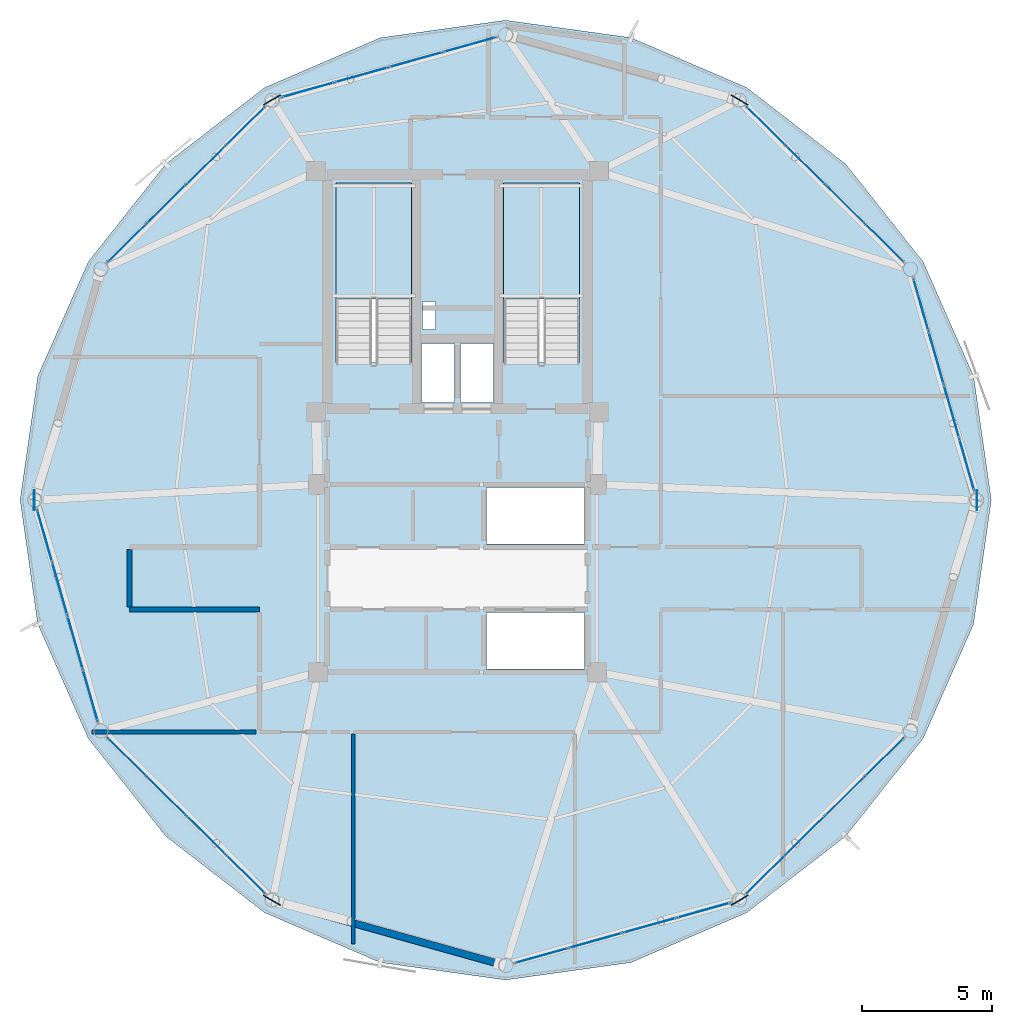
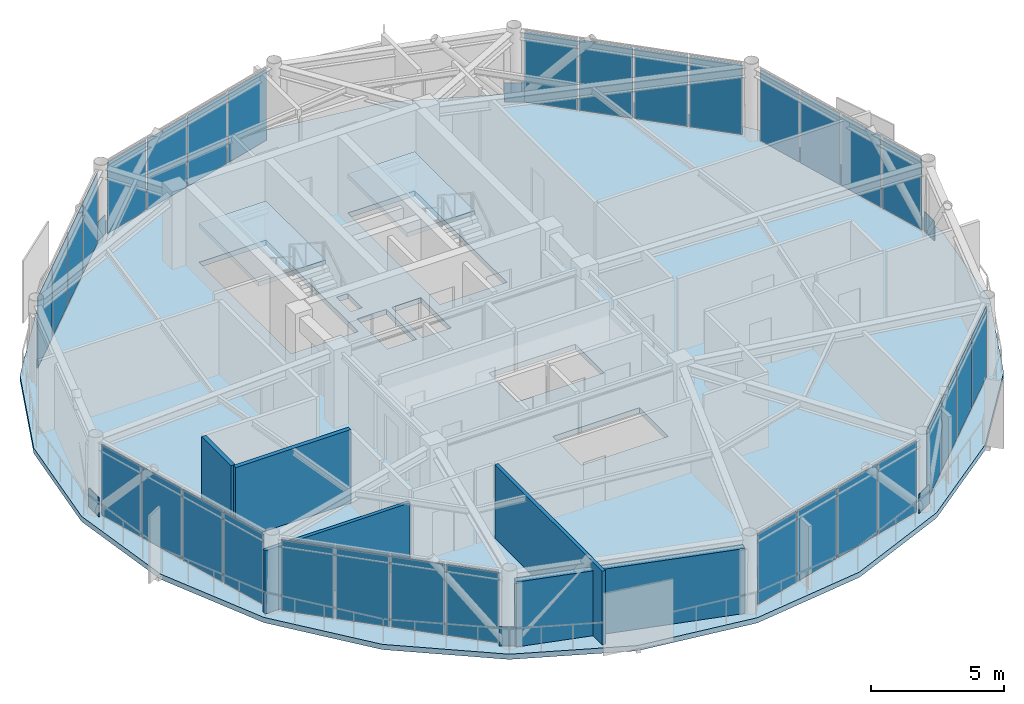
# One storey, part 19 of 26: 38 plates, 5 walls, 3 slabs, 10 elements without a shape of their own.
"""IFC4 building model written with IfcOpenShell, lengths in metres."""

import ifcopenshell
import ifcopenshell.guid

model = None  # the IFC model being written
_history = None  # IfcOwnerHistory: only IFC2X3 demands one
_inside = {}  # id of a spatial element -> (the spatial element, [elements in it])
_under = {}  # id of a project, library or spatial element -> (it, [spatial elements below it])
_declared = {}  # id of a project -> (the project, [libraries it declares])
_typed = {}  # id of a type object -> (the type object, [elements of that type])
_made_of = {}  # id of a material, layer set ... -> (it, [elements and type objects made of it])


def new_model(schema):
    """Start an empty IFC model of exactly this schema.

    Asked for "IFC4X3", IfcOpenShell would pick the latest addendum, in which some entities
    have other attributes; the version numbers below select the first issue.
    IFC2X3 requires an IfcOwnerHistory on every rooted entity: one is made here for all.
    """
    global model, _history
    if schema == "IFC4X3":
        model = ifcopenshell.file(schema_version=(4, 3, 0, 0))
    else:
        model = ifcopenshell.file(schema=schema)
    _inside.clear()
    _under.clear()
    _declared.clear()
    _typed.clear()
    _made_of.clear()
    _history = None
    if model.schema == "IFC2X3":
        org = make("IfcOrganization", Name="unknown")
        user = make(
            "IfcPersonAndOrganization",
            ThePerson=make("IfcPerson", FamilyName="unknown"),
            TheOrganization=org,
        )
        app = make(
            "IfcApplication",
            ApplicationDeveloper=org,
            Version="unknown",
            ApplicationFullName="unknown",
            ApplicationIdentifier="unknown",
        )
        _history = make(
            "IfcOwnerHistory",
            OwningUser=user,
            OwningApplication=app,
            ChangeAction="ADDED",
            CreationDate=0,
        )
    return model


def make(cls, **values):
    """One entity of the class cls with the attributes given. An attribute that is None is left unset."""
    return model.create_entity(
        cls, **{name: value for name, value in values.items() if value is not None}
    )


def rooted(cls, **values):
    """An entity with a GlobalId (a new one), such as an element, a storey or a relation."""
    return make(cls, GlobalId=ifcopenshell.guid.new(), OwnerHistory=_history, **values)


def si_unit(unit_type, name, prefix=None):
    """IfcSIUnit, for example si_unit("LENGTHUNIT", "METRE", prefix="MILLI")."""
    return make("IfcSIUnit", UnitType=unit_type, Prefix=prefix, Name=name)


def assignment(units):
    """IfcUnitAssignment: the units of a project."""
    return None if units is None else make("IfcUnitAssignment", Units=units)


def point(xyz):
    """IfcCartesianPoint."""
    return None if xyz is None else make("IfcCartesianPoint", Coordinates=xyz)


def direction(xyz):
    """IfcDirection."""
    return None if xyz is None else make("IfcDirection", DirectionRatios=xyz)


def frame(location, z_axis=None, x_axis=None):
    """IfcAxis2Placement3D, a coordinate frame: its origin and axes. An axis left out is left unset."""
    return make(
        "IfcAxis2Placement3D",
        Location=point(location),
        Axis=direction(z_axis),
        RefDirection=direction(x_axis),
    )


def frame_2d(location, x_axis=None):
    """IfcAxis2Placement2D, a coordinate frame in the plane: its origin and x axis."""
    return make(
        "IfcAxis2Placement2D", Location=point(location), RefDirection=direction(x_axis)
    )


def origin():
    """The frame at (0, 0, 0) with its axes left unset."""
    return frame((0.0, 0.0, 0.0))


def origin_2d():
    """The frame at (0, 0) in the plane with its x axis left unset."""
    return frame_2d((0.0, 0.0))


def place(relative_to, where):
    """IfcLocalPlacement: puts the frame where relative to a parent placement (None: the world)."""
    return make(
        "IfcLocalPlacement", PlacementRelTo=relative_to, RelativePlacement=where
    )


def context(
    kind, dimensions, precision=None, world=None, true_north=None, identifier=None
):
    """IfcGeometricRepresentationContext, for example the 3D "Model" context."""
    return make(
        "IfcGeometricRepresentationContext",
        ContextIdentifier=identifier,
        ContextType=kind,
        CoordinateSpaceDimension=dimensions,
        Precision=precision,
        WorldCoordinateSystem=world,
        TrueNorth=true_north,
    )


def subcontext(parent, identifier, kind, view, scale=None):
    """IfcGeometricRepresentationSubContext, for example "Body" below "Model"."""
    return make(
        "IfcGeometricRepresentationSubContext",
        ContextIdentifier=identifier,
        ContextType=kind,
        ParentContext=parent,
        TargetScale=scale,
        TargetView=view,
    )


def project(units=None, contexts=None):
    """IfcProject with its units and contexts."""
    return rooted(
        "IfcProject",
        Name="project",
        RepresentationContexts=contexts,
        UnitsInContext=assignment(units),
    )


def spatial(cls, under=None, at=None, **own):
    """A site, building, storey or space (cls), placed at a placement, below another one or the project."""
    s = rooted(cls, ObjectPlacement=at, **own)
    if under is not None:
        _under.setdefault(under.id(), (under, []))[1].append(s)
    return s


def polyline(points):
    """IfcPolyline through the points."""
    return make("IfcPolyline", Points=[point(p) for p in points])


def profile(cls, at=None, kind="AREA", **sizes):
    """A parametric profile (cls). Its sizes go by their IFC names, for example OverallWidth=200.0."""
    return make(cls, ProfileType=kind, Position=at, **sizes)


def rectangle(**sizes):
    """IfcRectangleProfileDef."""
    return profile("IfcRectangleProfileDef", **sizes)


def outline(outer, holes=None, kind="AREA"):
    """IfcArbitraryClosedProfileDef: a profile drawn as a closed curve; with holes, ...WithVoids."""
    if holes is None:
        return make("IfcArbitraryClosedProfileDef", ProfileType=kind, OuterCurve=outer)
    return make(
        "IfcArbitraryProfileDefWithVoids",
        ProfileType=kind,
        OuterCurve=outer,
        InnerCurves=holes,
    )


def extrude(swept, where, along, depth):
    """IfcExtrudedAreaSolid: the profile swept, set in the frame where, extruded along a direction by depth."""
    return make(
        "IfcExtrudedAreaSolid",
        SweptArea=swept,
        Position=where,
        ExtrudedDirection=direction(along),
        Depth=depth,
    )


def shape(context_of_items, identifier, shape_type, items):
    """IfcShapeRepresentation: the items that make up one representation, for example the "Body"."""
    return make(
        "IfcShapeRepresentation",
        ContextOfItems=context_of_items,
        RepresentationIdentifier=identifier,
        RepresentationType=shape_type,
        Items=items,
    )


def source(mapping_origin, context_of_items, identifier, shape_type, items):
    """IfcRepresentationMap: a shape defined once, which mapped items show again and again."""
    return make(
        "IfcRepresentationMap",
        MappingOrigin=mapping_origin,
        MappedRepresentation=shape(context_of_items, identifier, shape_type, items),
    )


def transform(
    local_origin,
    x_axis=None,
    y_axis=None,
    z_axis=None,
    scale=None,
    scale2=None,
    scale3=None,
    uniform=True,
):
    """IfcCartesianTransformationOperator3D, or its non-uniform kind. x_axis, y_axis, z_axis: its Axis1, 2, 3."""
    if uniform:
        return make(
            "IfcCartesianTransformationOperator3D",
            Axis1=direction(x_axis),
            Axis2=direction(y_axis),
            LocalOrigin=point(local_origin),
            Scale=scale,
            Axis3=direction(z_axis),
        )
    return make(
        "IfcCartesianTransformationOperator3DnonUniform",
        Axis1=direction(x_axis),
        Axis2=direction(y_axis),
        LocalOrigin=point(local_origin),
        Scale=scale,
        Axis3=direction(z_axis),
        Scale2=scale2,
        Scale3=scale3,
    )


def mapped(mapping_source, mapping_target):
    """IfcMappedItem: shows the shape of a source again, moved by a transform."""
    return make(
        "IfcMappedItem", MappingSource=mapping_source, MappingTarget=mapping_target
    )


def material(Name=None, Category=None):
    """IfcMaterial."""
    return make("IfcMaterial", Name=Name, Category=Category)


def layer(
    of_material, thickness, ventilated=None, Name=None, Category=None, Priority=None
):
    """IfcMaterialLayer: one layer of a wall or slab, of a material (None: an air gap)."""
    return make(
        "IfcMaterialLayer",
        Material=of_material,
        LayerThickness=thickness,
        IsVentilated=ventilated,
        Name=Name,
        Category=Category,
        Priority=Priority,
    )


def layer_set(layers, Name=None):
    """IfcMaterialLayerSet."""
    return make("IfcMaterialLayerSet", MaterialLayers=layers, LayerSetName=Name)


def made_of(thing, what):
    """Note that an element or type object is made of a material, layer set ...; save() writes the relation."""
    if what is not None:
        _made_of.setdefault(what.id(), (what, []))[1].append(thing)
    return thing


def type_object(cls, material=None, **own):
    """A type object (cls), such as IfcWallType, which elements share."""
    return made_of(rooted(cls, **own), material)


def type_shapes(of_type, sources):
    """Give a type object the sources (RepresentationMaps) that its elements show as mapped items."""
    of_type.RepresentationMaps = sources


def element(
    cls,
    number,
    at=None,
    inside=None,
    cuts=None,
    type_object=None,
    material=None,
    context=None,
    identifier="Body",
    shape_type=None,
    held_by="IfcProductDefinitionShape",
    body=None,
    shapes=None,
    **own,
):
    """One element of the class cls, such as IfcWall. Its Tag is "e" and its number.

    at: its placement. inside: the storey or other place that contains it. cuts: it is an
    opening in that element (IfcRelVoidsElement). A single representation is given by context,
    identifier, shape_type and body (its items); several are given by shapes. held_by: the class
    of the entity that holds the representations. save() writes the other relations.
    """
    e = rooted(cls, Tag="e%d" % number, ObjectPlacement=at, **own)
    if body is not None:
        shapes = [shape(context, identifier, shape_type, body)]
    if shapes is not None:
        e.Representation = make(held_by, Representations=shapes)
    if inside is not None:
        _inside.setdefault(inside.id(), (inside, []))[1].append(e)
    if cuts is not None:
        rooted(
            "IfcRelVoidsElement", RelatingBuildingElement=cuts, RelatedOpeningElement=e
        )
    if type_object is not None:
        _typed.setdefault(type_object.id(), (type_object, []))[1].append(e)
    return made_of(e, material)


def aggregate(whole, parts):
    """IfcRelAggregates: a whole, such as a stair, and the parts it consists of."""
    return rooted("IfcRelAggregates", RelatingObject=whole, RelatedObjects=parts)


def save(model, path):
    """Write the relations noted so far, then the file.

    IfcRelAggregates (storeys below a building ...), IfcRelContainedInSpatialStructure (elements
    in a storey), IfcRelDefinesByType, IfcRelAssociatesMaterial and IfcRelDeclares: one each for
    every whole, place, type object, material and project.
    """
    for whole, parts in _under.values():
        aggregate(whole, parts)
    for where, things in _inside.values():
        rooted(
            "IfcRelContainedInSpatialStructure",
            RelatedElements=things,
            RelatingStructure=where,
        )
    for kind, things in _typed.values():
        rooted("IfcRelDefinesByType", RelatedObjects=things, RelatingType=kind)
    for what, things in _made_of.values():
        rooted("IfcRelAssociatesMaterial", RelatedObjects=things, RelatingMaterial=what)
    for by, libraries in _declared.values():
        rooted("IfcRelDeclares", RelatingContext=by, RelatedDefinitions=libraries)
    model.write(path)


model = new_model("IFC4")

# Units and contexts
model_context = context("Model", 3, precision=1e-05, world=origin(), true_north=direction((0.0, 1.0)))
body_context = subcontext(model_context, "Body", "Model", "MODEL_VIEW")
ifc_project = project(units=[si_unit("LENGTHUNIT", "METRE"), si_unit("AREAUNIT", "SQUARE_METRE"), si_unit("VOLUMEUNIT", "CUBIC_METRE"), si_unit("PLANEANGLEUNIT", "RADIAN"), si_unit("MASSUNIT", "GRAM", prefix="KILO")], contexts=[model_context])

# Site, building, storey
site_placement = place(None, origin())
site = spatial("IfcSite", under=ifc_project, at=site_placement, CompositionType="ELEMENT")
building_placement = place(site_placement, origin())
building = spatial("IfcBuilding", under=site, at=building_placement, Name="Varnakorn Sky Granary", CompositionType="ELEMENT")
storey_placement = place(building_placement, frame((0.0, 0.0, 270.60009765625)))
storey = spatial("IfcBuildingStorey", under=building, at=storey_placement, Name="L69", CompositionType="ELEMENT", Elevation=270.60009765625)

# Plates
ifc_material_1 = material(Name="Steel S460M", Category="steel")
ifc_layer_1 = layer(ifc_material_1, 0.035888671875, Name="Steel S460M")
ifc_layer_set_1 = layer_set([ifc_layer_1], Name="Steel S460M")
plate_type_1 = type_object("IfcPlateType", Name="PL-NODE-KN4", PredefinedType="SHEET", material=ifc_layer_set_1)
for number, where, z_axis, x_axis, name in (
    (1, (22.93896484375, 0.0, 0.0), (0.0, 0.0, 1.0), (0.0, 1.0, 0.0), "Diagrid Node Gusset Assembly KN4 L69-1"),
    (2, (13.826904296875, 15.358154296875, 0.0), (0.0, 0.0, 1.0), (-0.863335527362, 0.504630327264, 0.0), "Diagrid Node Gusset Assembly KN4 L69-3"),
    (3, (-4.126953125, 15.358154296875, 0.0), (0.0, 0.0, 1.0), (-0.863335527362, -0.504630327264, 0.0), "Diagrid Node Gusset Assembly KN4 L69-5"),
    (4, (-13.239013671875, 0.0, 0.0), (0.0, 0.0, 1.0), (0.0, -1.0, 0.0), "Diagrid Node Gusset Assembly KN4 L69-7"),
    (5, (-4.126953125, -15.358154296875, 0.0), (0.0, 0.0, 1.0), (0.863335527362, -0.504630327264, 0.0), "Diagrid Node Gusset Assembly KN4 L69-9"),
    (6, (13.826904296875, -15.358154296875, 0.0), (0.0, 0.0, 1.0), (0.863335527362, 0.504630327264, 0.0), "Diagrid Node Gusset Assembly KN4 L69-11"),
):
    element("IfcPlate", number, at=place(storey_placement, frame(where, z_axis=z_axis, x_axis=x_axis)), inside=storey, type_object=plate_type_1, Name=name, PredefinedType="SHEET", context=body_context, shape_type="SweptSolid", body=[
        extrude(rectangle(XDim=0.760009765625, YDim=0.035888671875, at=origin_2d()), origin(), (0.0, 0.0, 1.0), 0.8798828125),
    ])

# Stair, slab
ifc_material_2 = material(Name="Concrete C40/50", Category="concrete")
stair_type = type_object("IfcStairType", Name="ST-MAIN-ASSEMBLY", PredefinedType="HALF_TURN_STAIR", material=ifc_material_2)
stair_1_placement = place(storey_placement, origin())
stair_1 = element("IfcStair", 7, at=stair_1_placement, inside=storey, type_object=stair_type, Name="L69 Protected Exit Stair ST-1", PredefinedType="HALF_TURN_STAIR")
ifc_layer_2 = layer(ifc_material_2, 0.199951171875, Name="Concrete C40/50")
ifc_layer_set_2 = layer_set([ifc_layer_2], Name="Concrete C40/50")
slab_type_1 = type_object("IfcSlabType", Name="ST-MAIN-LAND", PredefinedType="LANDING", material=ifc_layer_set_2)
slab_1_placement = place(storey_placement, frame((0.0, 0.0, 1.599853515625)))
slab_1 = element("IfcSlab", 8, at=slab_1_placement, type_object=slab_type_1, Name="ST-1 landing 1", PredefinedType="LANDING", context=body_context, shape_type="SweptSolid", body=[
    extrude(outline(polyline([(1.239990234375, 7.719970703125), (1.239990234375, 12.179931640625), (-1.669921875, 12.179931640625), (-1.669921875, 7.719970703125), (1.239990234375, 7.719970703125)])), origin(), (0.0, 0.0, 1.0), 0.199951171875),
])
aggregate(stair_1, [slab_1])

stair_2_placement = place(storey_placement, origin())
stair_2 = element("IfcStair", 9, at=stair_2_placement, inside=storey, type_object=stair_type, Name="L69 Protected Exit Stair ST-2", PredefinedType="HALF_TURN_STAIR")
slab_2_placement = place(storey_placement, frame((0.0, 0.0, 1.599853515625)))
slab_2 = element("IfcSlab", 10, at=slab_2_placement, type_object=slab_type_1, Name="ST-2 landing 1", PredefinedType="LANDING", context=body_context, shape_type="SweptSolid", body=[
    extrude(outline(polyline([(7.679931640625, 7.719970703125), (7.679931640625, 12.179931640625), (4.77001953125, 12.179931640625), (4.77001953125, 7.719970703125), (7.679931640625, 7.719970703125)])), origin(), (0.0, 0.0, 1.0), 0.199951171875),
])
aggregate(stair_2, [slab_2])

# Slab
ifc_material_3 = material(Name="Concrete C50/60", Category="concrete")
ifc_layer_3 = layer(ifc_material_3, 0.239990234375, Name="Concrete C50/60")
ifc_layer_set_3 = layer_set([ifc_layer_3], Name="Concrete C50/60")
slab_type_2 = type_object("IfcSlabType", Name="ST-SL-TWR-240", PredefinedType="FLOOR", material=ifc_layer_set_3)
slab_3_placement = place(storey_placement, frame((0.0, 0.0, -0.239990234375)))
element("IfcSlab", 11, at=slab_3_placement, inside=storey, type_object=slab_type_2, Name="Level L69 Structural Floor Slab", PredefinedType="FLOOR", context=body_context, shape_type="SweptSolid", body=[
    extrude(outline(polyline([(23.489013671875, 0.0), (22.810302734375, 4.755615234375), (20.875, 9.14208984375), (17.902587890625, 12.89697265625), (14.10205078125, 15.83447265625), (9.66259765625, 17.747802734375), (4.85009765625, 18.4189453125), (0.03759765625, 17.747802734375), (-4.402099609375, 15.83447265625), (-8.202392578125, 12.89697265625), (-11.1748046875, 9.14208984375), (-13.1103515625, 4.755615234375), (-13.7890625, 0.0), (-13.1103515625, -4.755615234375), (-11.1748046875, -9.14208984375), (-8.202392578125, -12.89697265625), (-4.402099609375, -15.83447265625), (0.03759765625, -17.747802734375), (4.85009765625, -18.4189453125), (9.66259765625, -17.747802734375), (14.10205078125, -15.83447265625), (17.902587890625, -12.89697265625), (20.875, -9.14208984375), (22.810302734375, -4.755615234375), (23.489013671875, 0.0)]), holes=[polyline([(1.239990234375, 5.27490234375), (1.239990234375, 12.179931640625), (-1.669921875, 12.179931640625), (-1.669921875, 5.27490234375), (1.239990234375, 5.27490234375)]), polyline([(7.679931640625, 5.27490234375), (7.679931640625, 12.179931640625), (4.77001953125, 12.179931640625), (4.77001953125, 5.27490234375), (7.679931640625, 5.27490234375)]), polyline([(1.659912109375, 6.550048828125), (2.14990234375, 6.550048828125), (2.14990234375, 7.6201171875), (1.659912109375, 7.6201171875), (1.659912109375, 6.550048828125)]), polyline([(1.6201171875, 3.739990234375), (2.8798828125, 3.739990234375), (2.8798828125, 6.010009765625), (1.6201171875, 6.010009765625), (1.6201171875, 3.739990234375)]), polyline([(3.1201171875, 3.739990234375), (4.3798828125, 3.739990234375), (4.3798828125, 6.010009765625), (3.1201171875, 6.010009765625), (3.1201171875, 3.739990234375)]), polyline([(4.1201171875, -1.679931640625), (7.8798828125, -1.679931640625), (7.8798828125, 0.47998046875), (4.1201171875, 0.47998046875), (4.1201171875, -1.679931640625)]), polyline([(4.1201171875, -6.47998046875), (7.8798828125, -6.47998046875), (7.8798828125, -4.320068359375), (4.1201171875, -4.320068359375), (4.1201171875, -6.47998046875)])]), origin(), (0.0, 0.0, 1.0), 0.239990234375),
])

# Curtain wall, plates
ifc_material_4 = material(Name="Anodised Bronze Aluminium Alloy 6063-T6", Category="aluminium")
ifc_layer_4 = layer(ifc_material_4, 0.159912109375, Name="Anodised Bronze Aluminium Alloy 6063-T6")
ifc_layer_set_4 = layer_set([ifc_layer_4], Name="Anodised Bronze Aluminium Alloy 6063-T6")
curtain_wall_type = type_object("IfcCurtainWallType", Name="CW-OFF-1", PredefinedType="USERDEFINED", material=ifc_layer_set_4)
curtain_wall_1_placement = place(storey_placement, origin())
curtain_wall_1 = element("IfcCurtainWall", 12, at=curtain_wall_1_placement, inside=storey, type_object=curtain_wall_type, Name="Unitised Curtain Wall CW6 CW-L69-B01", ObjectType="CURTAIN WALL", PredefinedType="USERDEFINED")
ifc_material_5 = material(Name="Low-E Tinted Laminated Glass", Category="glass")
ifc_layer_5 = layer(ifc_material_5, 0.02392578125, Name="Low-E Tinted Laminated Glass")
ifc_layer_set_5 = layer_set([ifc_layer_5], Name="Low-E Tinted Laminated Glass")
plate_type_2 = type_object("IfcPlateType", Name="CW-OFF-1-PNL", PredefinedType="CURTAIN_PANEL")
shared_shape_1 = source(origin(), body_context, "Body", "SweptSolid", [
    extrude(rectangle(XDim=2.03857421875, YDim=0.02392578125, at=origin_2d()), origin(), (0.0, 0.0, 1.0), 3.22998046875),
])
plate_1_placement = place(storey_placement, frame((20.790771484375, 7.498291015625, 0.06494140625), z_axis=(0.0, 0.0, 1.0), x_axis=(0.275422804319, -0.96132319168, 0.0)))
plate_1 = element("IfcPlate", 13, at=plate_1_placement, type_object=plate_type_2, material=ifc_layer_set_5, Name="CW6 vision glazing unit 1.1", PredefinedType="CURTAIN_PANEL", context=body_context, shape_type="MappedRepresentation", body=[
    mapped(shared_shape_1, transform((0.0, 0.0, 0.0), x_axis=(1.0, 0.0, 0.0), y_axis=(0.0, 1.0, 0.0), z_axis=(0.0, 0.0, 1.0), scale=1.0)),
])
ifc_material_6 = material(Name="Opaque Insulated Aluminium Shadow-Box Unit", Category="aluminium")
ifc_layer_6 = layer(ifc_material_6, 0.02392578125, Name="Opaque Insulated Aluminium Shadow-Box Unit")
ifc_layer_set_6 = layer_set([ifc_layer_6], Name="Opaque Insulated Aluminium Shadow-Box Unit")
plate_2_placement = place(storey_placement, frame((22.546875, 1.368896484375, 0.06494140625), z_axis=(0.0, 0.0, 1.0), x_axis=(0.275422804319, -0.96132319168, 0.0)))
plate_2 = element("IfcPlate", 14, at=plate_2_placement, type_object=plate_type_2, material=ifc_layer_set_6, Name="CW6 opaque insulated shadow-box unit 4.1", PredefinedType="CURTAIN_PANEL", context=body_context, shape_type="MappedRepresentation", body=[
    mapped(shared_shape_1, transform((0.0, 0.0, 0.0), x_axis=(1.0, 0.0, 0.0), y_axis=(0.0, 1.0, 0.0), z_axis=(0.0, 0.0, 1.0), scale=1.0)),
])

curtain_wall_2_placement = place(storey_placement, origin())
curtain_wall_2 = element("IfcCurtainWall", 15, at=curtain_wall_2_placement, inside=storey, type_object=curtain_wall_type, Name="Unitised Curtain Wall CW6 CW-L69-B07", ObjectType="CURTAIN WALL", PredefinedType="USERDEFINED")
plate_3_placement = place(storey_placement, frame((-11.0908203125, -7.498291015625, 0.06494140625), z_axis=(0.0, 0.0, 1.0), x_axis=(-0.275422804319, 0.96132319168, 0.0)))
plate_3 = element("IfcPlate", 16, at=plate_3_placement, type_object=plate_type_2, material=ifc_layer_set_5, Name="CW6 vision glazing unit 1.1", PredefinedType="CURTAIN_PANEL", context=body_context, shape_type="MappedRepresentation", body=[
    mapped(shared_shape_1, transform((0.0, 0.0, 0.0), x_axis=(1.0, 0.0, 0.0), y_axis=(0.0, 1.0, 0.0), z_axis=(0.0, 0.0, 1.0), scale=1.0)),
])
plate_4_placement = place(storey_placement, frame((-12.846923828125, -1.368896484375, 0.06494140625), z_axis=(0.0, 0.0, 1.0), x_axis=(-0.275422804319, 0.96132319168, 0.0)))
plate_4 = element("IfcPlate", 17, at=plate_4_placement, type_object=plate_type_2, material=ifc_layer_set_6, Name="CW6 opaque insulated shadow-box unit 4.1", PredefinedType="CURTAIN_PANEL", context=body_context, shape_type="MappedRepresentation", body=[
    mapped(shared_shape_1, transform((0.0, 0.0, 0.0), x_axis=(1.0, 0.0, 0.0), y_axis=(0.0, 1.0, 0.0), z_axis=(0.0, 0.0, 1.0), scale=1.0)),
])

# Plate
shared_shape_2 = source(origin(), body_context, "Body", "SweptSolid", [
    extrude(rectangle(XDim=2.0712890625, YDim=0.02392578125, at=origin_2d()), origin(), (0.0, 0.0, 1.0), 3.22998046875),
])
plate_5_placement = place(storey_placement, frame((21.37451171875, 5.460205078125, 0.06494140625), z_axis=(0.0, 0.0, 1.0), x_axis=(0.275422804319, -0.96132319168, 0.0)))
plate_5 = element("IfcPlate", 18, at=plate_5_placement, type_object=plate_type_2, material=ifc_layer_set_5, Name="CW6 vision glazing unit 2.1", PredefinedType="CURTAIN_PANEL", context=body_context, shape_type="MappedRepresentation", body=[
    mapped(shared_shape_2, transform((0.0, 0.0, 0.0), x_axis=(1.0, 0.0, 0.0), y_axis=(0.0, 1.0, 0.0), z_axis=(0.0, 0.0, 1.0), scale=1.0)),
])

plate_6_placement = place(storey_placement, frame((21.962890625, 3.40673828125, 0.06494140625), z_axis=(0.0, 0.0, 1.0), x_axis=(0.275422804319, -0.96132319168, 0.0)))
plate_6 = element("IfcPlate", 19, at=plate_6_placement, type_object=plate_type_2, material=ifc_layer_set_6, Name="CW6 opaque insulated shadow-box unit 3.1", PredefinedType="CURTAIN_PANEL", context=body_context, shape_type="MappedRepresentation", body=[
    mapped(shared_shape_2, transform((0.0, 0.0, 0.0), x_axis=(1.0, 0.0, 0.0), y_axis=(0.0, 1.0, 0.0), z_axis=(0.0, 0.0, 1.0), scale=1.0)),
])

aggregate(curtain_wall_1, [plate_1, plate_5, plate_6, plate_2])

plate_7_placement = place(storey_placement, frame((-11.674560546875, -5.460205078125, 0.06494140625), z_axis=(0.0, 0.0, 1.0), x_axis=(-0.275422804319, 0.96132319168, 0.0)))
plate_7 = element("IfcPlate", 20, at=plate_7_placement, type_object=plate_type_2, material=ifc_layer_set_5, Name="CW6 vision glazing unit 2.1", PredefinedType="CURTAIN_PANEL", context=body_context, shape_type="MappedRepresentation", body=[
    mapped(shared_shape_2, transform((0.0, 0.0, 0.0), x_axis=(1.0, 0.0, 0.0), y_axis=(0.0, 1.0, 0.0), z_axis=(0.0, 0.0, 1.0), scale=1.0)),
])

plate_8_placement = place(storey_placement, frame((-12.262939453125, -3.40673828125, 0.06494140625), z_axis=(0.0, 0.0, 1.0), x_axis=(-0.275422804319, 0.96132319168, 0.0)))
plate_8 = element("IfcPlate", 21, at=plate_8_placement, type_object=plate_type_2, material=ifc_layer_set_6, Name="CW6 opaque insulated shadow-box unit 3.1", PredefinedType="CURTAIN_PANEL", context=body_context, shape_type="MappedRepresentation", body=[
    mapped(shared_shape_2, transform((0.0, 0.0, 0.0), x_axis=(1.0, 0.0, 0.0), y_axis=(0.0, 1.0, 0.0), z_axis=(0.0, 0.0, 1.0), scale=1.0)),
])

aggregate(curtain_wall_2, [plate_3, plate_7, plate_8, plate_4])

# Curtain wall, plates
curtain_wall_3_placement = place(storey_placement, origin())
curtain_wall_3 = element("IfcCurtainWall", 22, at=curtain_wall_3_placement, inside=storey, type_object=curtain_wall_type, Name="Unitised Curtain Wall CW6 CW-L69-B02", ObjectType="CURTAIN WALL", PredefinedType="USERDEFINED")
shared_shape_3 = source(origin(), body_context, "Body", "SweptSolid", [
    extrude(rectangle(XDim=2.0419921875, YDim=0.02392578125, at=origin_2d()), origin(), (0.0, 0.0, 1.0), 3.22998046875),
])
plate_9_placement = place(storey_placement, frame((14.841064453125, 14.3564453125, 0.06494140625), z_axis=(0.0, 0.0, 1.0), x_axis=(0.711457689062, -0.702728935419, 0.0)))
plate_9 = element("IfcPlate", 23, at=plate_9_placement, type_object=plate_type_2, material=ifc_layer_set_6, Name="CW6 opaque insulated shadow-box unit 1.1", PredefinedType="CURTAIN_PANEL", context=body_context, shape_type="MappedRepresentation", body=[
    mapped(shared_shape_3, transform((0.0, 0.0, 0.0), x_axis=(1.0, 0.0, 0.0), y_axis=(0.0, 1.0, 0.0), z_axis=(0.0, 0.0, 1.0), scale=1.0)),
])
plate_10_placement = place(storey_placement, frame((19.384521484375, 9.86865234375, 0.06494140625), z_axis=(0.0, 0.0, 1.0), x_axis=(0.711457689062, -0.702728935419, 0.0)))
plate_10 = element("IfcPlate", 24, at=plate_10_placement, type_object=plate_type_2, material=ifc_layer_set_5, Name="CW6 vision glazing unit 4.1", PredefinedType="CURTAIN_PANEL", context=body_context, shape_type="MappedRepresentation", body=[
    mapped(shared_shape_3, transform((0.0, 0.0, 0.0), x_axis=(1.0, 0.0, 0.0), y_axis=(0.0, 1.0, 0.0), z_axis=(0.0, 0.0, 1.0), scale=1.0)),
])

curtain_wall_4_placement = place(storey_placement, origin())
curtain_wall_4 = element("IfcCurtainWall", 25, at=curtain_wall_4_placement, inside=storey, type_object=curtain_wall_type, Name="Unitised Curtain Wall CW6 CW-L69-B05", ObjectType="CURTAIN WALL", PredefinedType="USERDEFINED")
plate_11_placement = place(storey_placement, frame((-9.6845703125, 9.86865234375, 0.06494140625), z_axis=(0.0, 0.0, 1.0), x_axis=(0.711457689062, 0.702728935419, 0.0)))
plate_11 = element("IfcPlate", 26, at=plate_11_placement, type_object=plate_type_2, material=ifc_layer_set_5, Name="CW6 vision glazing unit 1.1", PredefinedType="CURTAIN_PANEL", context=body_context, shape_type="MappedRepresentation", body=[
    mapped(shared_shape_3, transform((0.0, 0.0, 0.0), x_axis=(1.0, 0.0, 0.0), y_axis=(0.0, 1.0, 0.0), z_axis=(0.0, 0.0, 1.0), scale=1.0)),
])
plate_12_placement = place(storey_placement, frame((-5.14111328125, 14.3564453125, 0.06494140625), z_axis=(0.0, 0.0, 1.0), x_axis=(0.711457689062, 0.702728935419, 0.0)))
plate_12 = element("IfcPlate", 27, at=plate_12_placement, type_object=plate_type_2, material=ifc_layer_set_6, Name="CW6 opaque insulated shadow-box unit 4.1", PredefinedType="CURTAIN_PANEL", context=body_context, shape_type="MappedRepresentation", body=[
    mapped(shared_shape_3, transform((0.0, 0.0, 0.0), x_axis=(1.0, 0.0, 0.0), y_axis=(0.0, 1.0, 0.0), z_axis=(0.0, 0.0, 1.0), scale=1.0)),
])

curtain_wall_5_placement = place(storey_placement, origin())
curtain_wall_5 = element("IfcCurtainWall", 28, at=curtain_wall_5_placement, inside=storey, type_object=curtain_wall_type, Name="Unitised Curtain Wall CW6 CW-L69-B08", ObjectType="CURTAIN WALL", PredefinedType="USERDEFINED")
plate_13_placement = place(storey_placement, frame((-5.14111328125, -14.3564453125, 0.06494140625), z_axis=(0.0, 0.0, 1.0), x_axis=(-0.711457689062, 0.702728935419, 0.0)))
plate_13 = element("IfcPlate", 29, at=plate_13_placement, type_object=plate_type_2, material=ifc_layer_set_6, Name="CW6 opaque insulated shadow-box unit 1.1", PredefinedType="CURTAIN_PANEL", context=body_context, shape_type="MappedRepresentation", body=[
    mapped(shared_shape_3, transform((0.0, 0.0, 0.0), x_axis=(1.0, 0.0, 0.0), y_axis=(0.0, 1.0, 0.0), z_axis=(0.0, 0.0, 1.0), scale=1.0)),
])
plate_14_placement = place(storey_placement, frame((-9.6845703125, -9.86865234375, 0.06494140625), z_axis=(0.0, 0.0, 1.0), x_axis=(-0.711457689062, 0.702728935419, 0.0)))
plate_14 = element("IfcPlate", 30, at=plate_14_placement, type_object=plate_type_2, material=ifc_layer_set_5, Name="CW6 vision glazing unit 4.1", PredefinedType="CURTAIN_PANEL", context=body_context, shape_type="MappedRepresentation", body=[
    mapped(shared_shape_3, transform((0.0, 0.0, 0.0), x_axis=(1.0, 0.0, 0.0), y_axis=(0.0, 1.0, 0.0), z_axis=(0.0, 0.0, 1.0), scale=1.0)),
])

curtain_wall_6_placement = place(storey_placement, origin())
curtain_wall_6 = element("IfcCurtainWall", 31, at=curtain_wall_6_placement, inside=storey, type_object=curtain_wall_type, Name="Unitised Curtain Wall CW6 CW-L69-B11", ObjectType="CURTAIN WALL", PredefinedType="USERDEFINED")
plate_15_placement = place(storey_placement, frame((19.384521484375, -9.86865234375, 0.06494140625), z_axis=(0.0, 0.0, 1.0), x_axis=(-0.711457689062, -0.702728935419, 0.0)))
plate_15 = element("IfcPlate", 32, at=plate_15_placement, type_object=plate_type_2, material=ifc_layer_set_5, Name="CW6 vision glazing unit 1.1", PredefinedType="CURTAIN_PANEL", context=body_context, shape_type="MappedRepresentation", body=[
    mapped(shared_shape_3, transform((0.0, 0.0, 0.0), x_axis=(1.0, 0.0, 0.0), y_axis=(0.0, 1.0, 0.0), z_axis=(0.0, 0.0, 1.0), scale=1.0)),
])
plate_16_placement = place(storey_placement, frame((14.841064453125, -14.3564453125, 0.06494140625), z_axis=(0.0, 0.0, 1.0), x_axis=(-0.711457689062, -0.702728935419, 0.0)))
plate_16 = element("IfcPlate", 33, at=plate_16_placement, type_object=plate_type_2, material=ifc_layer_set_6, Name="CW6 opaque insulated shadow-box unit 4.1", PredefinedType="CURTAIN_PANEL", context=body_context, shape_type="MappedRepresentation", body=[
    mapped(shared_shape_3, transform((0.0, 0.0, 0.0), x_axis=(1.0, 0.0, 0.0), y_axis=(0.0, 1.0, 0.0), z_axis=(0.0, 0.0, 1.0), scale=1.0)),
])

# Plate
shared_shape_4 = source(origin(), body_context, "Body", "SweptSolid", [
    extrude(rectangle(XDim=2.074462890625, YDim=0.02392578125, at=origin_2d()), origin(), (0.0, 0.0, 1.0), 3.22998046875),
])
plate_17_placement = place(storey_placement, frame((16.351806640625, 12.8642578125, 0.06494140625), z_axis=(0.0, 0.0, 1.0), x_axis=(0.711457689062, -0.702728935419, 0.0)))
plate_17 = element("IfcPlate", 34, at=plate_17_placement, type_object=plate_type_2, material=ifc_layer_set_6, Name="CW6 opaque insulated shadow-box unit 2.1", PredefinedType="CURTAIN_PANEL", context=body_context, shape_type="MappedRepresentation", body=[
    mapped(shared_shape_4, transform((0.0, 0.0, 0.0), x_axis=(1.0, 0.0, 0.0), y_axis=(0.0, 1.0, 0.0), z_axis=(0.0, 0.0, 1.0), scale=1.0)),
])

plate_18_placement = place(storey_placement, frame((17.873779296875, 11.36083984375, 0.06494140625), z_axis=(0.0, 0.0, 1.0), x_axis=(0.711457689062, -0.702728935419, 0.0)))
plate_18 = element("IfcPlate", 35, at=plate_18_placement, type_object=plate_type_2, material=ifc_layer_set_5, Name="CW6 vision glazing unit 3.1", PredefinedType="CURTAIN_PANEL", context=body_context, shape_type="MappedRepresentation", body=[
    mapped(shared_shape_4, transform((0.0, 0.0, 0.0), x_axis=(1.0, 0.0, 0.0), y_axis=(0.0, 1.0, 0.0), z_axis=(0.0, 0.0, 1.0), scale=1.0)),
])

aggregate(curtain_wall_3, [plate_9, plate_17, plate_18, plate_10])

plate_19_placement = place(storey_placement, frame((-8.173828125, 11.36083984375, 0.06494140625), z_axis=(0.0, 0.0, 1.0), x_axis=(0.711457689062, 0.702728935419, 0.0)))
plate_19 = element("IfcPlate", 36, at=plate_19_placement, type_object=plate_type_2, material=ifc_layer_set_5, Name="CW6 vision glazing unit 2.1", PredefinedType="CURTAIN_PANEL", context=body_context, shape_type="MappedRepresentation", body=[
    mapped(shared_shape_4, transform((0.0, 0.0, 0.0), x_axis=(1.0, 0.0, 0.0), y_axis=(0.0, 1.0, 0.0), z_axis=(0.0, 0.0, 1.0), scale=1.0)),
])

plate_20_placement = place(storey_placement, frame((-6.651611328125, 12.8642578125, 0.06494140625), z_axis=(0.0, 0.0, 1.0), x_axis=(0.711457689062, 0.702728935419, 0.0)))
plate_20 = element("IfcPlate", 37, at=plate_20_placement, type_object=plate_type_2, material=ifc_layer_set_6, Name="CW6 opaque insulated shadow-box unit 3.1", PredefinedType="CURTAIN_PANEL", context=body_context, shape_type="MappedRepresentation", body=[
    mapped(shared_shape_4, transform((0.0, 0.0, 0.0), x_axis=(1.0, 0.0, 0.0), y_axis=(0.0, 1.0, 0.0), z_axis=(0.0, 0.0, 1.0), scale=1.0)),
])

aggregate(curtain_wall_4, [plate_11, plate_19, plate_20, plate_12])

plate_21_placement = place(storey_placement, frame((-6.651611328125, -12.8642578125, 0.06494140625), z_axis=(0.0, 0.0, 1.0), x_axis=(-0.711457689062, 0.702728935419, 0.0)))
plate_21 = element("IfcPlate", 38, at=plate_21_placement, type_object=plate_type_2, material=ifc_layer_set_6, Name="CW6 opaque insulated shadow-box unit 2.1", PredefinedType="CURTAIN_PANEL", context=body_context, shape_type="MappedRepresentation", body=[
    mapped(shared_shape_4, transform((0.0, 0.0, 0.0), x_axis=(1.0, 0.0, 0.0), y_axis=(0.0, 1.0, 0.0), z_axis=(0.0, 0.0, 1.0), scale=1.0)),
])

plate_22_placement = place(storey_placement, frame((-8.173828125, -11.36083984375, 0.06494140625), z_axis=(0.0, 0.0, 1.0), x_axis=(-0.711457689062, 0.702728935419, 0.0)))
plate_22 = element("IfcPlate", 39, at=plate_22_placement, type_object=plate_type_2, material=ifc_layer_set_5, Name="CW6 vision glazing unit 3.1", PredefinedType="CURTAIN_PANEL", context=body_context, shape_type="MappedRepresentation", body=[
    mapped(shared_shape_4, transform((0.0, 0.0, 0.0), x_axis=(1.0, 0.0, 0.0), y_axis=(0.0, 1.0, 0.0), z_axis=(0.0, 0.0, 1.0), scale=1.0)),
])

aggregate(curtain_wall_5, [plate_13, plate_21, plate_22, plate_14])

plate_23_placement = place(storey_placement, frame((17.873779296875, -11.36083984375, 0.06494140625), z_axis=(0.0, 0.0, 1.0), x_axis=(-0.711457689062, -0.702728935419, 0.0)))
plate_23 = element("IfcPlate", 40, at=plate_23_placement, type_object=plate_type_2, material=ifc_layer_set_5, Name="CW6 vision glazing unit 2.1", PredefinedType="CURTAIN_PANEL", context=body_context, shape_type="MappedRepresentation", body=[
    mapped(shared_shape_4, transform((0.0, 0.0, 0.0), x_axis=(1.0, 0.0, 0.0), y_axis=(0.0, 1.0, 0.0), z_axis=(0.0, 0.0, 1.0), scale=1.0)),
])

plate_24_placement = place(storey_placement, frame((16.351806640625, -12.8642578125, 0.06494140625), z_axis=(0.0, 0.0, 1.0), x_axis=(-0.711457689062, -0.702728935419, 0.0)))
plate_24 = element("IfcPlate", 41, at=plate_24_placement, type_object=plate_type_2, material=ifc_layer_set_6, Name="CW6 opaque insulated shadow-box unit 3.1", PredefinedType="CURTAIN_PANEL", context=body_context, shape_type="MappedRepresentation", body=[
    mapped(shared_shape_4, transform((0.0, 0.0, 0.0), x_axis=(1.0, 0.0, 0.0), y_axis=(0.0, 1.0, 0.0), z_axis=(0.0, 0.0, 1.0), scale=1.0)),
])

aggregate(curtain_wall_6, [plate_15, plate_23, plate_24, plate_16])

# Curtain wall, plates
curtain_wall_7_placement = place(storey_placement, origin())
curtain_wall_7 = element("IfcCurtainWall", 42, at=curtain_wall_7_placement, inside=storey, type_object=curtain_wall_type, Name="Unitised Curtain Wall CW6 CW-L69-B04", ObjectType="CURTAIN WALL", PredefinedType="USERDEFINED")
shared_shape_5 = source(origin(), body_context, "Body", "SweptSolid", [
    extrude(rectangle(XDim=2.063232421875, YDim=0.02392578125, at=origin_2d()), origin(), (0.0, 0.0, 1.0), 3.22998046875),
])
plate_25_placement = place(storey_placement, frame((-2.743896484375, 15.744873046875, 0.06494140625), z_axis=(0.0, 0.0, 1.0), x_axis=(0.963034287069, 0.269378844621, 0.0)))
plate_25 = element("IfcPlate", 43, at=plate_25_placement, type_object=plate_type_2, material=ifc_layer_set_6, Name="CW6 opaque insulated shadow-box unit 1.1", PredefinedType="CURTAIN_PANEL", context=body_context, shape_type="MappedRepresentation", body=[
    mapped(shared_shape_5, transform((0.0, 0.0, 0.0), x_axis=(1.0, 0.0, 0.0), y_axis=(0.0, 1.0, 0.0), z_axis=(0.0, 0.0, 1.0), scale=1.0)),
])
plate_26_placement = place(storey_placement, frame((3.467041015625, 17.482177734375, 0.06494140625), z_axis=(0.0, 0.0, 1.0), x_axis=(0.963034287069, 0.269378844621, 0.0)))
plate_26 = element("IfcPlate", 44, at=plate_26_placement, type_object=plate_type_2, material=ifc_layer_set_5, Name="CW6 vision glazing unit 4.1", PredefinedType="CURTAIN_PANEL", context=body_context, shape_type="MappedRepresentation", body=[
    mapped(shared_shape_5, transform((0.0, 0.0, 0.0), x_axis=(1.0, 0.0, 0.0), y_axis=(0.0, 1.0, 0.0), z_axis=(0.0, 0.0, 1.0), scale=1.0)),
])

curtain_wall_8_placement = place(storey_placement, origin())
curtain_wall_8 = element("IfcCurtainWall", 45, at=curtain_wall_8_placement, inside=storey, type_object=curtain_wall_type, Name="Unitised Curtain Wall CW6 CW-L69-B10", ObjectType="CURTAIN WALL", PredefinedType="USERDEFINED")
plate_27_placement = place(storey_placement, frame((12.444091796875, -15.744873046875, 0.06494140625), z_axis=(0.0, 0.0, 1.0), x_axis=(-0.963034287069, -0.269378844621, 0.0)))
plate_27 = element("IfcPlate", 46, at=plate_27_placement, type_object=plate_type_2, material=ifc_layer_set_6, Name="CW6 opaque insulated shadow-box unit 1.1", PredefinedType="CURTAIN_PANEL", context=body_context, shape_type="MappedRepresentation", body=[
    mapped(shared_shape_5, transform((0.0, 0.0, 0.0), x_axis=(1.0, 0.0, 0.0), y_axis=(0.0, 1.0, 0.0), z_axis=(0.0, 0.0, 1.0), scale=1.0)),
])
plate_28_placement = place(storey_placement, frame((6.23291015625, -17.482177734375, 0.06494140625), z_axis=(0.0, 0.0, 1.0), x_axis=(-0.963034287069, -0.269378844621, 0.0)))
plate_28 = element("IfcPlate", 47, at=plate_28_placement, type_object=plate_type_2, material=ifc_layer_set_5, Name="CW6 vision glazing unit 4.1", PredefinedType="CURTAIN_PANEL", context=body_context, shape_type="MappedRepresentation", body=[
    mapped(shared_shape_5, transform((0.0, 0.0, 0.0), x_axis=(1.0, 0.0, 0.0), y_axis=(0.0, 1.0, 0.0), z_axis=(0.0, 0.0, 1.0), scale=1.0)),
])

# Plate
shared_shape_6 = source(origin(), body_context, "Body", "SweptSolid", [
    extrude(rectangle(XDim=2.095703125, YDim=0.02392578125, at=origin_2d()), origin(), (0.0, 0.0, 1.0), 3.22998046875),
])
type_shapes(plate_type_2, [shared_shape_1, shared_shape_2, shared_shape_3, shared_shape_4, shared_shape_5, shared_shape_6])
plate_29_placement = place(storey_placement, frame((-0.678955078125, 16.322509765625, 0.06494140625), z_axis=(0.0, 0.0, 1.0), x_axis=(0.963034287069, 0.269378844621, 0.0)))
plate_29 = element("IfcPlate", 48, at=plate_29_placement, type_object=plate_type_2, material=ifc_layer_set_6, Name="CW6 opaque insulated shadow-box unit 2.1", PredefinedType="CURTAIN_PANEL", context=body_context, shape_type="MappedRepresentation", body=[
    mapped(shared_shape_6, transform((0.0, 0.0, 0.0), x_axis=(1.0, 0.0, 0.0), y_axis=(0.0, 1.0, 0.0), z_axis=(0.0, 0.0, 1.0), scale=1.0)),
])

plate_30_placement = place(storey_placement, frame((1.40185546875, 16.904541015625, 0.06494140625), z_axis=(0.0, 0.0, 1.0), x_axis=(0.963034287069, 0.269378844621, 0.0)))
plate_30 = element("IfcPlate", 49, at=plate_30_placement, type_object=plate_type_2, material=ifc_layer_set_5, Name="CW6 vision glazing unit 3.1", PredefinedType="CURTAIN_PANEL", context=body_context, shape_type="MappedRepresentation", body=[
    mapped(shared_shape_6, transform((0.0, 0.0, 0.0), x_axis=(1.0, 0.0, 0.0), y_axis=(0.0, 1.0, 0.0), z_axis=(0.0, 0.0, 1.0), scale=1.0)),
])

aggregate(curtain_wall_7, [plate_25, plate_29, plate_30, plate_26])

plate_31_placement = place(storey_placement, frame((10.37890625, -16.322509765625, 0.06494140625), z_axis=(0.0, 0.0, 1.0), x_axis=(-0.963034287069, -0.269378844621, 0.0)))
plate_31 = element("IfcPlate", 50, at=plate_31_placement, type_object=plate_type_2, material=ifc_layer_set_6, Name="CW6 opaque insulated shadow-box unit 2.1", PredefinedType="CURTAIN_PANEL", context=body_context, shape_type="MappedRepresentation", body=[
    mapped(shared_shape_6, transform((0.0, 0.0, 0.0), x_axis=(1.0, 0.0, 0.0), y_axis=(0.0, 1.0, 0.0), z_axis=(0.0, 0.0, 1.0), scale=1.0)),
])

plate_32_placement = place(storey_placement, frame((8.298095703125, -16.904541015625, 0.06494140625), z_axis=(0.0, 0.0, 1.0), x_axis=(-0.963034287069, -0.269378844621, 0.0)))
plate_32 = element("IfcPlate", 51, at=plate_32_placement, type_object=plate_type_2, material=ifc_layer_set_5, Name="CW6 vision glazing unit 3.1", PredefinedType="CURTAIN_PANEL", context=body_context, shape_type="MappedRepresentation", body=[
    mapped(shared_shape_6, transform((0.0, 0.0, 0.0), x_axis=(1.0, 0.0, 0.0), y_axis=(0.0, 1.0, 0.0), z_axis=(0.0, 0.0, 1.0), scale=1.0)),
])

aggregate(curtain_wall_8, [plate_27, plate_31, plate_32, plate_28])

# Walls
ifc_material_7 = material(Name="Precast concrete C40/50", Category="concrete")
ifc_layer_7 = layer(ifc_material_7, 0.280029296875, Name="Precast concrete C40/50")
ifc_layer_set_7 = layer_set([ifc_layer_7], Name="Precast concrete C40/50")
wall_type_1 = type_object("IfcWallType", Name="WT-EW-CRN-280", PredefinedType="SOLIDWALL", material=ifc_layer_set_7)
wall_1_placement = place(storey_placement, frame((4.624267578125, -17.805908203125, 0.0), z_axis=(0.0, 0.0, 1.0), x_axis=(-0.963039883705, 0.269358835743, 0.0)))
element("IfcWall", 52, at=wall_1_placement, inside=storey, type_object=wall_type_1, Name="Agritech Insulated Precast Facade Wall L69-P09", PredefinedType="SOLIDWALL", context=body_context, shape_type="SweptSolid", body=[
    extrude(rectangle(XDim=8.8525390625, YDim=0.280029296875, at=frame_2d((4.42626953125, 0.0))), origin(), (0.0, 0.0, 1.0), 2.969970703125),
])
ifc_material_8 = material(Name="Gypsum Plasterboard on Steel Stud", Category="steel")
ifc_layer_8 = layer(ifc_material_8, 0.14990234375, Name="Gypsum Plasterboard on Steel Stud")
ifc_layer_set_8 = layer_set([ifc_layer_8], Name="Gypsum Plasterboard on Steel Stud")
wall_type_2 = type_object("IfcWallType", Name="WT-PART-150", PredefinedType="PARTITIONING", material=ifc_layer_set_8)
wall_2_placement = place(storey_placement, frame((-1.0, -8.985107421875, 0.0), z_axis=(0.0, 0.0, 1.0), x_axis=(0.0, -1.0, 0.0)))
element("IfcWall", 53, at=wall_2_placement, inside=storey, type_object=wall_type_2, Name="Interior Partition Wall L69-036", PredefinedType="PARTITIONING", context=body_context, shape_type="SweptSolid", body=[
    extrude(rectangle(XDim=8.056884765625, YDim=0.14990234375, at=frame_2d((4.0283203125, 0.0))), origin(), (0.0, 0.0, 1.0), 3.35986328125),
])
wall_3_placement = place(storey_placement, frame((-11.02099609375, -8.89990234375, 0.0), z_axis=(0.0, 0.0, 1.0), x_axis=(1.0, 0.0, 0.0)))
element("IfcWall", 54, at=wall_3_placement, inside=storey, type_object=wall_type_2, Name="Interior Partition Wall L69-037", PredefinedType="PARTITIONING", context=body_context, shape_type="SweptSolid", body=[
    extrude(rectangle(XDim=6.285888671875, YDim=0.14990234375, at=frame_2d((3.14306640625, 0.0))), origin(), (0.0, 0.0, 1.0), 2.891845703125),
])
ifc_material_9 = material(Name="Moisture-Resistant Gypsum on Stud", Category="gypsum")
ifc_layer_9 = layer(ifc_material_9, 0.179931640625, Name="Moisture-Resistant Gypsum on Stud")
ifc_layer_set_9 = layer_set([ifc_layer_9], Name="Moisture-Resistant Gypsum on Stud")
wall_type_3 = type_object("IfcWallType", Name="WT-PLUMB-180", PredefinedType="PLUMBINGWALL", material=ifc_layer_set_9)
wall_4_placement = place(storey_placement, frame((-9.589111328125, -4.199951171875, 0.0), z_axis=(0.0, 0.0, 1.0), x_axis=(1.0, 0.0, 0.0)))
element("IfcWall", 55, at=wall_4_placement, inside=storey, type_object=wall_type_3, Name="Interior Partition Wall L69-045", PredefinedType="PLUMBINGWALL", context=body_context, shape_type="SweptSolid", body=[
    extrude(rectangle(XDim=4.989013671875, YDim=0.179931640625, at=frame_2d((2.49462890625, 0.0))), origin(), (0.0, 0.0, 1.0), 3.35986328125),
])
wall_5_placement = place(storey_placement, frame((-9.589111328125, -1.89990234375, 0.0), z_axis=(0.0, 0.0, 1.0), x_axis=(0.0, -1.0, 0.0)))
element("IfcWall", 56, at=wall_5_placement, inside=storey, type_object=wall_type_3, Name="Interior Partition Wall L69-046", PredefinedType="PLUMBINGWALL", context=body_context, shape_type="SweptSolid", body=[
    extrude(rectangle(XDim=2.2001953125, YDim=0.179931640625, at=frame_2d((1.10009765625, 0.0))), origin(), (0.0, 0.0, 1.0), 3.35986328125),
])

save(model, "model.ifc")
